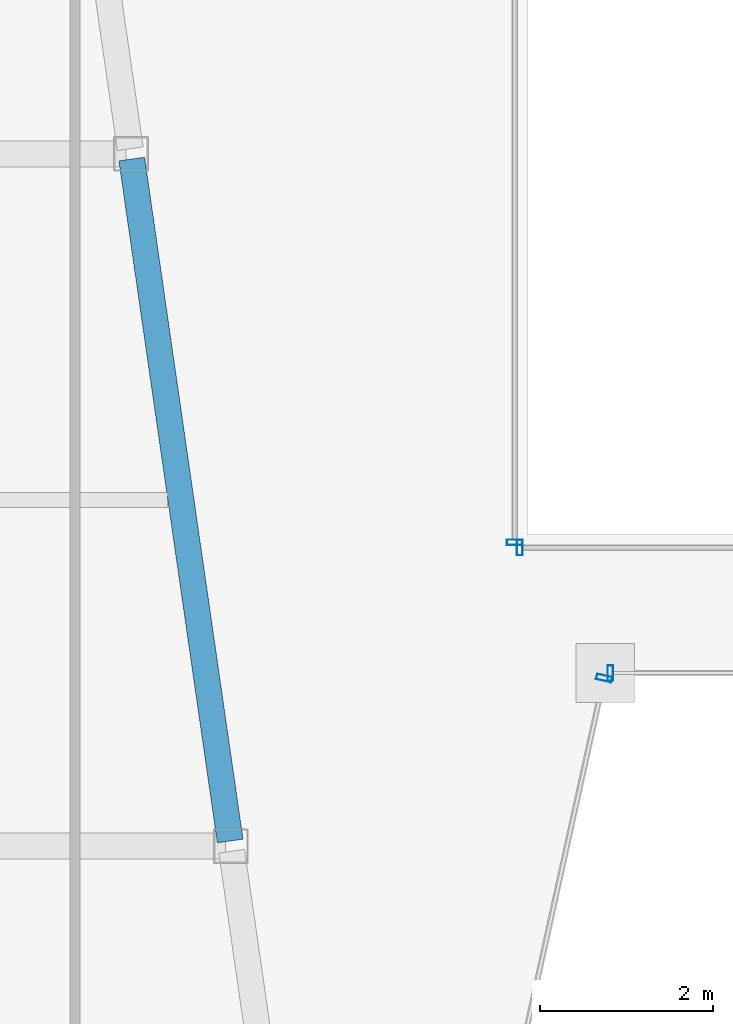
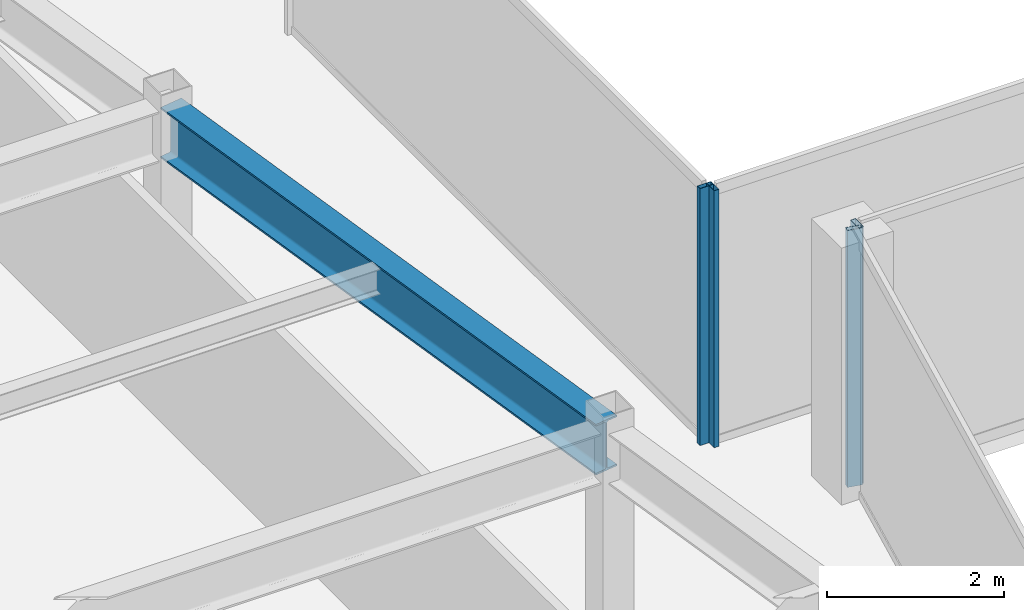
# One storey, part 7 of 36: 4 members, 1 beam, 4 elements without a shape of their own.
"""IFC4 building model written with IfcOpenShell, lengths in metres."""

from ifc_helpers import new_model, si_unit, direction, frame, origin, origin_2d, place, context, subcontext, project, spatial, hollow_rectangle, i_section, extrude, material, material_profile, profile_set, type_object, element, aggregate, save


model = new_model("IFC4")

# Units and contexts
model_context = context("Model", 3, precision=1e-05, world=origin(), true_north=direction((0.0, 1.0)))
body_context = subcontext(model_context, "Body", "Model", "MODEL_VIEW")
ifc_project = project(units=[si_unit("LENGTHUNIT", "METRE"), si_unit("AREAUNIT", "SQUARE_METRE"), si_unit("VOLUMEUNIT", "CUBIC_METRE"), si_unit("PLANEANGLEUNIT", "RADIAN"), si_unit("MASSUNIT", "GRAM", prefix="KILO")], contexts=[model_context])

# Site, building, storey
site_placement = place(None, origin())
site = spatial("IfcSite", under=ifc_project, at=site_placement, CompositionType="ELEMENT")
building_placement = place(site_placement, origin())
building = spatial("IfcBuilding", under=site, at=building_placement, Name="Saevonmaru Cultural Tower", CompositionType="ELEMENT")
storey_placement = place(building_placement, frame((0.0, 0.0, 182.800048828125)))
storey = spatial("IfcBuildingStorey", under=building, at=storey_placement, Name="L41", CompositionType="ELEMENT", Elevation=182.800048828125)

# Beam
ifc_material_1 = material(Name="Steel SM355", Category="steel")
ifc_material_profile_1 = material_profile(ifc_material_1, i_section(OverallWidth=0.300048828125, OverallDepth=0.699951171875, WebThickness=0.012939453125, FlangeThickness=0.02392578125, FilletRadius=0.02587890625, at=origin_2d()), Name="H-700x300x13x24")
ifc_profile_set_1 = profile_set([ifc_material_profile_1], Name="Steel SM355")
beam_type = type_object("IfcBeamType", Name="BM-G-H700", PredefinedType="BEAM", material=ifc_profile_set_1)
beam_placement = place(storey_placement, frame((20.763427734375, 24.059326171875, 3.199951171875), z_axis=(-0.142902032203, 0.989736838353, 0.0), x_axis=(-0.989736838353, -0.142902032203, 0.0)))
element("IfcBeam", 1, at=beam_placement, inside=storey, type_object=beam_type, Name="L41 West Atrium Girder 2", PredefinedType="BEAM", context=body_context, shape_type="SweptSolid", body=[
    extrude(i_section(OverallWidth=0.300048828125, OverallDepth=0.699951171875, WebThickness=0.012939453125, FlangeThickness=0.02392578125, FilletRadius=0.02587890625, at=origin_2d()), origin(), (0.0, 0.0, 1.0), 7.963134765625),
])

# Curtain wall, member
ifc_material_2 = material(Name="Satin Bronze Anodised Aluminium", Category="aluminium")
curtain_wall_type_1 = type_object("IfcCurtainWallType", Name="CW-TYP-B", PredefinedType="NOTDEFINED", material=ifc_material_2)
curtain_wall_1_placement = place(storey_placement, origin())
curtain_wall_1 = element("IfcCurtainWall", 2, at=curtain_wall_1_placement, inside=storey, type_object=curtain_wall_type_1, Name="L41 Unitised Curtain Wall E3", PredefinedType="NOTDEFINED")
ifc_material_profile_2 = material_profile(ifc_material_2, hollow_rectangle(XDim=0.06494140625, YDim=0.179931640625, WallThickness=0.00390625, at=origin_2d()), Name="ALU-MULL-180x65x4")
ifc_profile_set_2 = profile_set([ifc_material_profile_2], Name="Satin Bronze Anodised Aluminium")
member_type_1 = type_object("IfcMemberType", Name="ML-CW-180x65", PredefinedType="MULLION", material=ifc_profile_set_2)
member_1_placement = place(storey_placement, frame((25.0849609375, 25.94140625, 0.0), z_axis=(0.0, 0.0, 1.0), x_axis=(0.215413319953, 0.976522965212, 0.0)))
member_1 = element("IfcMember", 3, at=member_1_placement, type_object=member_type_1, Name="CW-TW-L41-E3 mullion 2", PredefinedType="MULLION", context=body_context, shape_type="SweptSolid", body=[
    extrude(hollow_rectangle(XDim=0.06494140625, YDim=0.179931640625, WallThickness=0.00390625, at=origin_2d()), origin(), (0.0, 0.0, 1.0), 3.550048828125),
])
aggregate(curtain_wall_1, [member_1])

curtain_wall_2_placement = place(storey_placement, origin())
curtain_wall_2 = element("IfcCurtainWall", 4, at=curtain_wall_2_placement, inside=storey, type_object=curtain_wall_type_1, Name="L41 Unitised Curtain Wall E4", PredefinedType="NOTDEFINED")
member_2_placement = place(storey_placement, frame((25.15771484375, 26.0, 0.0), z_axis=(0.0, 0.0, 1.0), x_axis=(1.0, 0.0, 0.0)))
member_2 = element("IfcMember", 5, at=member_2_placement, type_object=member_type_1, Name="CW-TW-L41-E4 mullion 1", PredefinedType="MULLION", context=body_context, shape_type="SweptSolid", body=[
    extrude(hollow_rectangle(XDim=0.06494140625, YDim=0.179931640625, WallThickness=0.00390625, at=origin_2d()), origin(), (0.0, 0.0, 1.0), 3.550048828125),
])
aggregate(curtain_wall_2, [member_2])

curtain_wall_type_2 = type_object("IfcCurtainWallType", Name="CW-ATR-GLZ", PredefinedType="NOTDEFINED", material=ifc_material_2)
curtain_wall_3_placement = place(storey_placement, origin())
curtain_wall_3 = element("IfcCurtainWall", 6, at=curtain_wall_3_placement, inside=storey, type_object=curtain_wall_type_2, Name="L41 Vertical Atrium Glazed Smoke Screen 1", PredefinedType="NOTDEFINED")
ifc_material_profile_3 = material_profile(ifc_material_2, hollow_rectangle(XDim=0.06494140625, YDim=0.179931640625, WallThickness=0.00390625, at=origin_2d()), Name="ALU-MULL-180x65x4")
ifc_profile_set_3 = profile_set([ifc_material_profile_3], Name="Satin Bronze Anodised Aluminium")
member_type_2 = type_object("IfcMemberType", Name="ML-CW-INT-180x65", PredefinedType="MULLION", material=ifc_profile_set_3)
member_3_placement = place(storey_placement, frame((24.110107421875, 27.449951171875, 0.0), z_axis=(0.0, 0.0, 1.0), x_axis=(1.0, 0.0, 0.0)))
member_3 = element("IfcMember", 7, at=member_3_placement, type_object=member_type_2, Name="CW-ATR-L41-1 mullion 1", PredefinedType="MULLION", context=body_context, shape_type="SweptSolid", body=[
    extrude(hollow_rectangle(XDim=0.06494140625, YDim=0.179931640625, WallThickness=0.00390625, at=origin_2d()), origin(), (0.0, 0.0, 1.0), 3.550048828125),
])
aggregate(curtain_wall_3, [member_3])

curtain_wall_4_placement = place(storey_placement, origin())
curtain_wall_4 = element("IfcCurtainWall", 8, at=curtain_wall_4_placement, inside=storey, type_object=curtain_wall_type_2, Name="L41 Vertical Atrium Glazed Smoke Screen 4", PredefinedType="NOTDEFINED")
member_4_placement = place(storey_placement, frame((24.050048828125, 27.510009765625, 0.0), z_axis=(0.0, 0.0, 1.0), x_axis=(0.0, -1.0, 0.0)))
member_4 = element("IfcMember", 9, at=member_4_placement, type_object=member_type_2, Name="CW-ATR-L41-4 mullion 2", PredefinedType="MULLION", context=body_context, shape_type="SweptSolid", body=[
    extrude(hollow_rectangle(XDim=0.06494140625, YDim=0.179931640625, WallThickness=0.00390625, at=origin_2d()), origin(), (0.0, 0.0, 1.0), 3.550048828125),
])
aggregate(curtain_wall_4, [member_4])

save(model, "model.ifc")
